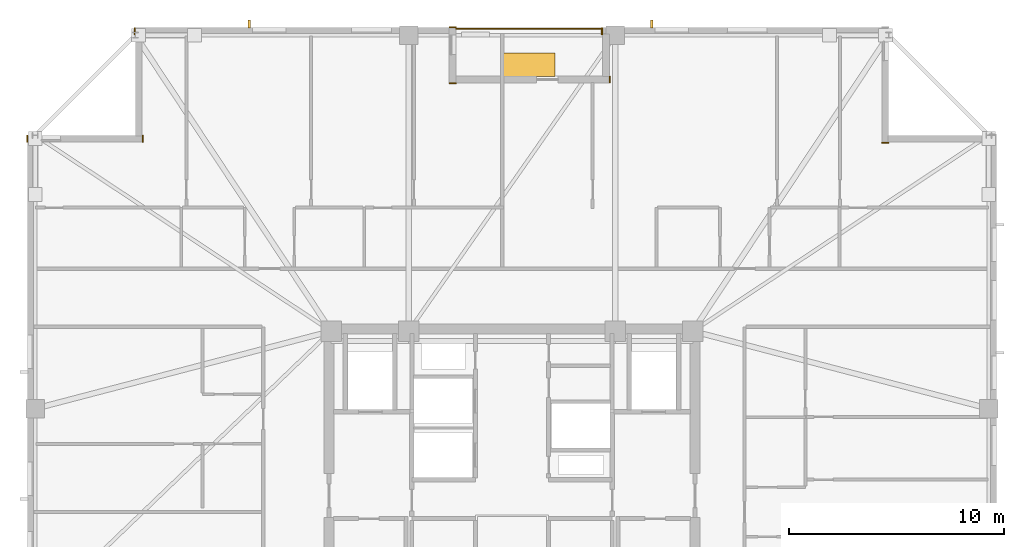
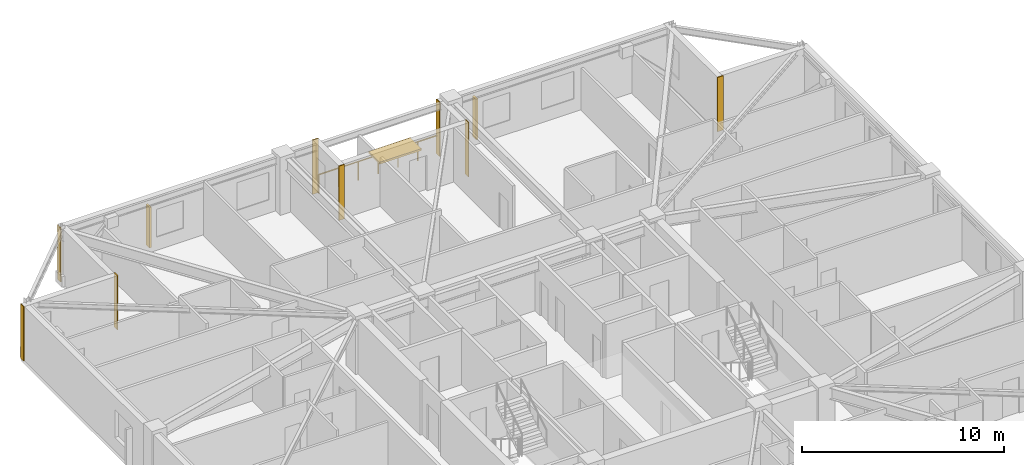
# One storey, part 16 of 17: 8 coverings, 3 shading devices, 1 railing.
"""IFC4 building model written with IfcOpenShell, lengths in metres."""

from ifc_helpers import new_model, si_unit, direction, frame, frame_2d, origin, origin_2d, place, context, subcontext, project, spatial, rectangle, circle, extrude, material, layer, layer_set, type_object, element, save


model = new_model("IFC4")

# Units and contexts
model_context = context("Model", 3, precision=1e-05, world=origin(), true_north=direction((0.0, 1.0)))
body_context = subcontext(model_context, "Body", "Model", "MODEL_VIEW")
ifc_project = project(units=[si_unit("LENGTHUNIT", "METRE"), si_unit("AREAUNIT", "SQUARE_METRE"), si_unit("VOLUMEUNIT", "CUBIC_METRE"), si_unit("PLANEANGLEUNIT", "RADIAN"), si_unit("MASSUNIT", "GRAM", prefix="KILO")], contexts=[model_context])

# Site, building, storey
site_placement = place(None, origin())
site = spatial("IfcSite", under=ifc_project, at=site_placement, CompositionType="ELEMENT")
building_placement = place(site_placement, origin())
building = spatial("IfcBuilding", under=site, at=building_placement, Name="Cairnveth Concourse Tower", CompositionType="ELEMENT")
storey_placement = place(building_placement, frame((0.0, 0.0, 213.0)))
storey = spatial("IfcBuildingStorey", under=building, at=storey_placement, Name="L58", CompositionType="ELEMENT", Elevation=213.0)

# Coverings
ifc_material_1 = material(Name="Dressed Melbourne Bluestone Cladding", Category="masonry")
ifc_layer = layer(ifc_material_1, 0.050048828125)
ifc_layer_set = layer_set([ifc_layer], Name="Dressed Melbourne Bluestone Cladding")
covering_type = type_object("IfcCoveringType", Name="DRESSED BLUESTONE PLINTH CLADDING 50", PredefinedType="CLADDING", material=ifc_layer_set)
for number, where, z_axis, x_axis, name in (
    (1, (56.179931640625, 61.179931640625, 0.0), (0.0, 0.0, 1.0), (0.0, 1.0, 0.0), "Melbourne Bluestone Corner Quoin L58-863"),
    (2, (69.179931640625, 56.159912109375, 0.0), (0.0, 0.0, 1.0), (1.0, 0.0, 0.0), "Melbourne Bluestone Corner Quoin L58-865"),
    (3, (29.47998046875, 56.179931640625, 0.0), (0.0, 0.0, 1.0), (0.0, 1.0, 0.0), "Melbourne Bluestone Corner Quoin L58-873"),
    (4, (34.840087890625, 56.179931640625, 0.0), (0.0, 0.0, 1.0), (0.0, 1.0, 0.0), "Melbourne Bluestone Corner Quoin L58-874"),
    (5, (34.47998046875, 61.179931640625, 0.0), (0.0, 0.0, 1.0), (0.0, 1.0, 0.0), "Melbourne Bluestone Corner Quoin L58-875"),
):
    element("IfcCovering", number, at=place(storey_placement, frame(where, z_axis=z_axis, x_axis=x_axis)), inside=storey, type_object=covering_type, Name=name, PredefinedType="CLADDING", context=body_context, shape_type="SweptSolid", body=[
        extrude(rectangle(XDim=0.320068359375, YDim=0.050048828125, at=frame_2d((0.16015625, 0.0))), origin(), (0.0, 0.0, 1.0), 3.2900390625),
    ])
for number, where, z_axis, x_axis, name in (
    (6, (49.080078125, 61.52001953125, 0.0), (0.0, 0.0, 1.0), (1.0, 0.0, 0.0), "Melbourne Bluestone Corner Quoin L58-876"),
    (7, (49.080078125, 58.909912109375, 0.0), (0.0, 0.0, 1.0), (1.0, 0.0, 0.0), "Melbourne Bluestone Corner Quoin L58-877"),
):
    element("IfcCovering", number, at=place(storey_placement, frame(where, z_axis=z_axis, x_axis=x_axis)), inside=storey, type_object=covering_type, Name=name, PredefinedType="CLADDING", context=body_context, shape_type="SweptSolid", body=[
        extrude(rectangle(XDim=0.31982421875, YDim=0.050048828125, at=frame_2d((0.159912109375, 0.0))), origin(), (0.0, 0.0, 1.0), 3.2900390625),
    ])
covering_placement = place(storey_placement, frame((56.5400390625, 58.929931640625, 0.0), z_axis=(0.0, 0.0, 1.0), x_axis=(0.0, 1.0, 0.0)))
element("IfcCovering", 8, at=covering_placement, inside=storey, type_object=covering_type, Name="Melbourne Bluestone Corner Quoin L58-878", PredefinedType="CLADDING", context=body_context, shape_type="SweptSolid", body=[
    extrude(rectangle(XDim=0.320068359375, YDim=0.050048828125, at=frame_2d((0.16015625, 0.0))), origin(), (0.0, 0.0, 1.0), 3.2900390625),
])

# Shading devices
ifc_material_2 = material(Name="Architectural Bronze Anodised Aluminium 6063-T6", Category="aluminium")
shading_device_type_1 = type_object("IfcShadingDeviceType", Name="GOTHIC BRONZE VERTICAL LANCET FIN", PredefinedType="USERDEFINED", material=ifc_material_2)
for number, where, z_axis, x_axis, name in (
    (9, (58.490478515625, 61.675048828125, 0.030029296875), (0.0, 0.0, 1.0), (1.0, 0.0, 0.0), "Gothic Bronze Vertical Fin L58-0-1"),
    (10, (39.79052734375, 61.675048828125, 0.030029296875), (0.0, 0.0, 1.0), (1.0, 0.0, 0.0), "Gothic Bronze Vertical Fin L58-12-1"),
):
    element("IfcShadingDevice", number, at=place(storey_placement, frame(where, z_axis=z_axis, x_axis=x_axis)), inside=storey, type_object=shading_device_type_1, Name=name, ObjectType="VERTICAL FIN", PredefinedType="USERDEFINED", context=body_context, shape_type="SweptSolid", body=[
        extrude(rectangle(XDim=0.1201171875, YDim=0.360107421875, at=origin_2d()), origin(), (0.0, 0.0, 1.0), 2.43798828125),
    ])
shading_device_type_2 = type_object("IfcShadingDeviceType", Name="SPIRAL TERRACE SUNSHADE CANOPY", PredefinedType="USERDEFINED", material=ifc_material_2)
shading_device_placement = place(storey_placement, frame((52.800048828125, 59.77001953125, 2.31787109375), z_axis=(0.0, 0.0, 1.0), x_axis=(1.0, 0.0, 0.0)))
element("IfcShadingDevice", 11, at=shading_device_placement, inside=storey, type_object=shading_device_type_2, Name="Spiral Terrace Sunshade L58", ObjectType="TERRACE SUNSHADE", PredefinedType="USERDEFINED", context=body_context, shape_type="SweptSolid", body=[
    extrude(rectangle(XDim=2.39990234375, YDim=1.10009765625, at=origin_2d()), origin(), (0.0, 0.0, 1.0), 0.1201171875),
])

# Railing
railing_type = type_object("IfcRailingType", Name="TERRACE BRONZE BALUSTRADE 1150", PredefinedType="BALUSTRADE", material=ifc_material_2)
railing_placement = place(storey_placement, frame((49.39990234375, 61.43994140625, 0.0)))
element("IfcRailing", 12, at=railing_placement, inside=storey, type_object=railing_type, Name="Terrace Balustrade RL-L58-TERR", PredefinedType="BALUSTRADE", context=body_context, shape_type="SweptSolid", body=[
    extrude(circle(Radius=0.02490234375, at=origin_2d()), frame((0.0, 0.0, 1.125), z_axis=(1.0, 0.0, 0.0), x_axis=(0.0, 1.0, 0.0)), (0.0, 0.0, 1.0), 6.800048828125),
    extrude(circle(Radius=0.02099609375, at=origin_2d()), origin(), (0.0, 0.0, 1.0), 1.099853515625),
    extrude(circle(Radius=0.02099609375, at=origin_2d()), frame((1.13330078125, 0.0, 0.0)), (0.0, 0.0, 1.0), 1.099853515625),
    extrude(circle(Radius=0.02099609375, at=origin_2d()), frame((2.2666015625, 0.0, 0.0)), (0.0, 0.0, 1.0), 1.099853515625),
    extrude(circle(Radius=0.02099609375, at=origin_2d()), frame((3.39990234375, 0.0, 0.0)), (0.0, 0.0, 1.0), 1.099853515625),
    extrude(circle(Radius=0.02099609375, at=origin_2d()), frame((4.533447265625, 0.0, 0.0)), (0.0, 0.0, 1.0), 1.099853515625),
    extrude(circle(Radius=0.02099609375, at=origin_2d()), frame((5.666748046875, 0.0, 0.0)), (0.0, 0.0, 1.0), 1.099853515625),
    extrude(circle(Radius=0.02099609375, at=origin_2d()), frame((6.800048828125, 0.0, 0.0)), (0.0, 0.0, 1.0), 1.099853515625),
])

save(model, "model.ifc")
